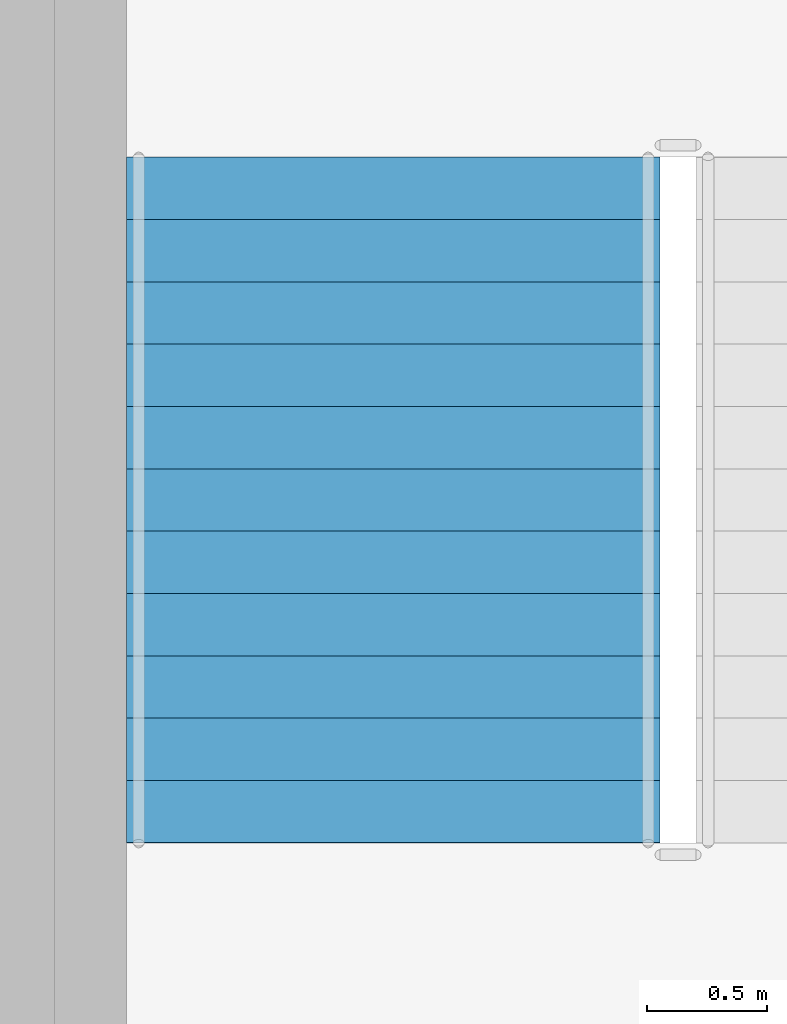
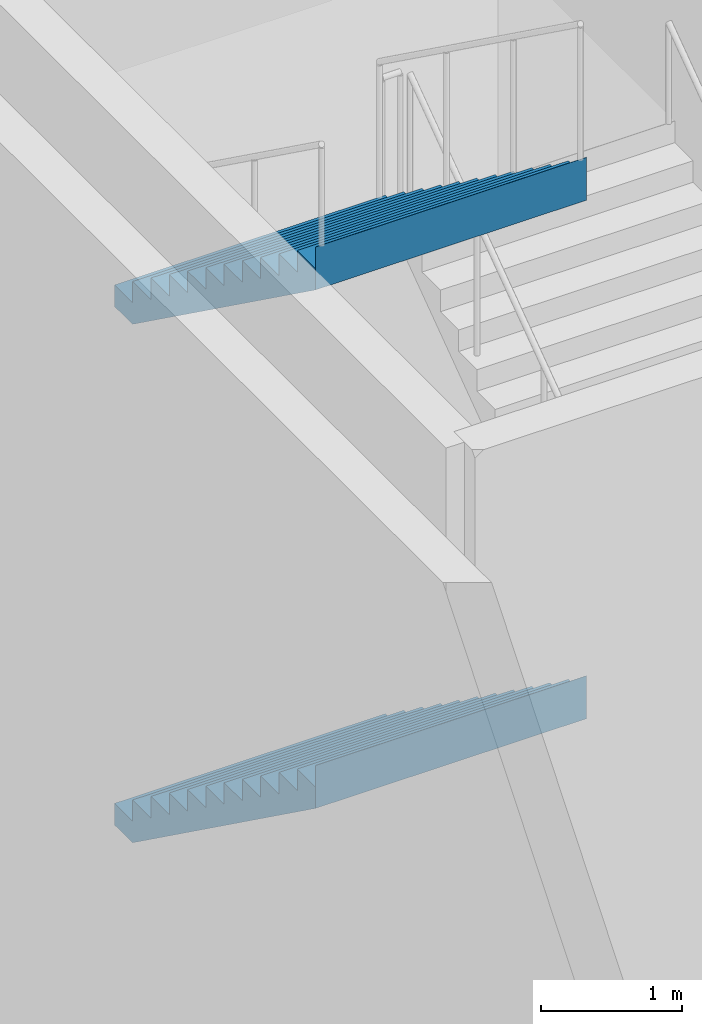
# One storey, part 23 of 35: 2 stair flights, 1 element without a shape of its own.
"""IFC4 building model written with IfcOpenShell, lengths in metres."""

from ifc_helpers import new_model, si_unit, direction, frame, origin, place, context, subcontext, project, spatial, triangles, material, type_object, element, aggregate, save


model = new_model("IFC4")

# Units and contexts
model_context = context("Model", 3, precision=1e-05, world=origin(), true_north=direction((0.0, 1.0)))
body_context = subcontext(model_context, "Body", "Model", "MODEL_VIEW")
ifc_project = project(units=[si_unit("LENGTHUNIT", "METRE"), si_unit("AREAUNIT", "SQUARE_METRE"), si_unit("VOLUMEUNIT", "CUBIC_METRE"), si_unit("PLANEANGLEUNIT", "RADIAN"), si_unit("MASSUNIT", "GRAM", prefix="KILO")], contexts=[model_context])

# Site, building, storey
site_placement = place(None, origin())
site = spatial("IfcSite", under=ifc_project, at=site_placement, CompositionType="ELEMENT")
building_placement = place(site_placement, origin())
building = spatial("IfcBuilding", under=site, at=building_placement, Name="Sahrelin Media Tower", CompositionType="ELEMENT")
storey_placement = place(building_placement, frame((0.0, 0.0, 17.0)))
storey = spatial("IfcBuildingStorey", under=building, at=storey_placement, Name="L02", CompositionType="ELEMENT", Elevation=17.0)

# Stair, stair flights
ifc_material = material(Name="Concrete C40/50", Category="concrete")
stair_type = type_object("IfcStairType", Name="Podium stair 2225", PredefinedType="HALF_TURN_STAIR", material=ifc_material)
stair_placement = place(storey_placement, origin())
stair = element("IfcStair", 1, at=stair_placement, inside=storey, type_object=stair_type, Name="L02 Podium stair PS2", PredefinedType="HALF_TURN_STAIR")
stair_flight_type = type_object("IfcStairFlightType", Name="Stair flight 2225", PredefinedType="STRAIGHT", material=ifc_material)
stair_flight_1_placement = place(storey_placement, frame((-11.83740234375, 33.485107421875, 2.25), z_axis=(0.0, 0.0, 1.0), x_axis=(0.0, -1.0, 0.0)))
stair_flight_1 = element("IfcStairFlight", 2, at=stair_flight_1_placement, type_object=stair_flight_type, Name="PS2 flight 2", NumberOfRisers=12, NumberOfTreads=11, PredefinedType="STRAIGHT", RiserHeight=0.1875, TreadLength=0.26, context=body_context, shape_type="Tessellation", body=[
    triangles([(0.25634765625, 1.112548828125, 0.0), (0.25634765625, 0.794677734375, 0.0), (0.25634765625, 0.476806640625, 0.0), (0.25634765625, 0.158935546875, 0.0), (0.25634765625, -0.158935546875, 0.0), (0.25634765625, -0.476806640625, 0.0), (0.25634765625, -0.794677734375, 0.0), (0.25634765625, -1.112548828125, 0.0), (2.860107421875, 1.112548828125, 1.877685546875), (2.860107421875, 0.794677734375, 1.877685546875), (2.860107421875, 0.476806640625, 1.877685546875), (2.860107421875, 0.158935546875, 1.877685546875), (2.860107421875, -0.158935546875, 1.877685546875), (2.860107421875, -0.476806640625, 1.877685546875), (2.860107421875, -0.794677734375, 1.877685546875), (2.860107421875, -1.112548828125, 1.877685546875), (2.860107421875, 1.112548828125, 2.25), (2.860107421875, 0.794677734375, 2.25), (2.860107421875, 0.476806640625, 2.25), (2.860107421875, 0.158935546875, 2.25), (2.860107421875, -0.158935546875, 2.25), (2.860107421875, -0.476806640625, 2.25), (2.860107421875, -0.794677734375, 2.25), (2.860107421875, -1.112548828125, 2.25), (2.85791015625, 1.112548828125, 2.25), (2.85791015625, 0.794677734375, 2.25), (2.85791015625, 0.476806640625, 2.25), (2.85791015625, 0.158935546875, 2.25), (2.85791015625, -0.158935546875, 2.25), (2.85791015625, -0.476806640625, 2.25), (2.85791015625, -0.794677734375, 2.25), (2.85791015625, -1.112548828125, 2.25), (2.85791015625, 1.112548828125, 2.0625), (2.85791015625, 0.794677734375, 2.0625), (2.85791015625, 0.476806640625, 2.0625), (2.85791015625, 0.158935546875, 2.0625), (2.85791015625, -0.158935546875, 2.0625), (2.85791015625, -0.476806640625, 2.0625), (2.85791015625, -0.794677734375, 2.0625), (2.85791015625, -1.112548828125, 2.0625), (2.60009765625, 1.112548828125, 2.0625), (2.60009765625, 0.794677734375, 2.0625), (2.60009765625, 0.476806640625, 2.0625), (2.60009765625, 0.158935546875, 2.0625), (2.60009765625, -0.158935546875, 2.0625), (2.60009765625, -0.476806640625, 2.0625), (2.60009765625, -0.794677734375, 2.0625), (2.60009765625, -1.112548828125, 2.0625), (2.60009765625, 1.112548828125, 1.875), (2.60009765625, 0.794677734375, 1.875), (2.60009765625, 0.476806640625, 1.875), (2.60009765625, 0.158935546875, 1.875), (2.60009765625, -0.158935546875, 1.875), (2.60009765625, -0.476806640625, 1.875), (2.60009765625, -0.794677734375, 1.875), (2.60009765625, -1.112548828125, 1.875), (2.340087890625, 1.112548828125, 1.875), (2.340087890625, 0.794677734375, 1.875), (2.340087890625, 0.476806640625, 1.875), (2.340087890625, 0.158935546875, 1.875), (2.340087890625, -0.158935546875, 1.875), (2.340087890625, -0.476806640625, 1.875), (2.340087890625, -0.794677734375, 1.875), (2.340087890625, -1.112548828125, 1.875), (2.340087890625, 1.112548828125, 1.6875), (2.340087890625, 0.794677734375, 1.6875), (2.340087890625, 0.476806640625, 1.6875), (2.340087890625, 0.158935546875, 1.6875), (2.340087890625, -0.158935546875, 1.6875), (2.340087890625, -0.476806640625, 1.6875), (2.340087890625, -0.794677734375, 1.6875), (2.340087890625, -1.112548828125, 1.6875), (2.080078125, 1.112548828125, 1.6875), (2.080078125, 0.794677734375, 1.6875), (2.080078125, 0.476806640625, 1.6875), (2.080078125, 0.158935546875, 1.6875), (2.080078125, -0.158935546875, 1.6875), (2.080078125, -0.476806640625, 1.6875), (2.080078125, -0.794677734375, 1.6875), (2.080078125, -1.112548828125, 1.6875), (2.080078125, 1.112548828125, 1.5), (2.080078125, 0.794677734375, 1.5), (2.080078125, 0.476806640625, 1.5), (2.080078125, 0.158935546875, 1.5), (2.080078125, -0.158935546875, 1.5), (2.080078125, -0.476806640625, 1.5), (2.080078125, -0.794677734375, 1.5), (2.080078125, -1.112548828125, 1.5), (1.820068359375, 1.112548828125, 1.5), (1.820068359375, 0.794677734375, 1.5), (1.820068359375, 0.476806640625, 1.5), (1.820068359375, 0.158935546875, 1.5), (1.820068359375, -0.158935546875, 1.5), (1.820068359375, -0.476806640625, 1.5), (1.820068359375, -0.794677734375, 1.5), (1.820068359375, -1.112548828125, 1.5), (1.820068359375, 1.112548828125, 1.3125), (1.820068359375, 0.794677734375, 1.3125), (1.820068359375, 0.476806640625, 1.3125), (1.820068359375, 0.158935546875, 1.3125), (1.820068359375, -0.158935546875, 1.3125), (1.820068359375, -0.476806640625, 1.3125), (1.820068359375, -0.794677734375, 1.3125), (1.820068359375, -1.112548828125, 1.3125), (1.56005859375, 1.112548828125, 1.3125), (1.56005859375, 0.794677734375, 1.3125), (1.56005859375, 0.476806640625, 1.3125), (1.56005859375, 0.158935546875, 1.3125), (1.56005859375, -0.158935546875, 1.3125), (1.56005859375, -0.476806640625, 1.3125), (1.56005859375, -0.794677734375, 1.3125), (1.56005859375, -1.112548828125, 1.3125), (1.56005859375, 1.112548828125, 1.125), (1.56005859375, 0.794677734375, 1.125), (1.56005859375, 0.476806640625, 1.125), (1.56005859375, 0.158935546875, 1.125), (1.56005859375, -0.158935546875, 1.125), (1.56005859375, -0.476806640625, 1.125), (1.56005859375, -0.794677734375, 1.125), (1.56005859375, -1.112548828125, 1.125), (1.300048828125, 1.112548828125, 1.125), (1.300048828125, 0.794677734375, 1.125), (1.300048828125, 0.476806640625, 1.125), (1.300048828125, 0.158935546875, 1.125), (1.300048828125, -0.158935546875, 1.125), (1.300048828125, -0.476806640625, 1.125), (1.300048828125, -0.794677734375, 1.125), (1.300048828125, -1.112548828125, 1.125), (1.300048828125, 1.112548828125, 0.9375), (1.300048828125, 0.794677734375, 0.9375), (1.300048828125, 0.476806640625, 0.9375), (1.300048828125, 0.158935546875, 0.9375), (1.300048828125, -0.158935546875, 0.9375), (1.300048828125, -0.476806640625, 0.9375), (1.300048828125, -0.794677734375, 0.9375), (1.300048828125, -1.112548828125, 0.9375), (1.0400390625, 1.112548828125, 0.9375), (1.0400390625, 0.794677734375, 0.9375), (1.0400390625, 0.476806640625, 0.9375), (1.0400390625, 0.158935546875, 0.9375), (1.0400390625, -0.158935546875, 0.9375), (1.0400390625, -0.476806640625, 0.9375), (1.0400390625, -0.794677734375, 0.9375), (1.0400390625, -1.112548828125, 0.9375), (1.0400390625, 1.112548828125, 0.75), (1.0400390625, 0.794677734375, 0.75), (1.0400390625, 0.476806640625, 0.75), (1.0400390625, 0.158935546875, 0.75), (1.0400390625, -0.158935546875, 0.75), (1.0400390625, -0.476806640625, 0.75), (1.0400390625, -0.794677734375, 0.75), (1.0400390625, -1.112548828125, 0.75), (0.780029296875, 1.112548828125, 0.75), (0.780029296875, 0.794677734375, 0.75), (0.780029296875, 0.476806640625, 0.75), (0.780029296875, 0.158935546875, 0.75), (0.780029296875, -0.158935546875, 0.75), (0.780029296875, -0.476806640625, 0.75), (0.780029296875, -0.794677734375, 0.75), (0.780029296875, -1.112548828125, 0.75), (0.780029296875, 1.112548828125, 0.5625), (0.780029296875, 0.794677734375, 0.5625), (0.780029296875, 0.476806640625, 0.5625), (0.780029296875, 0.158935546875, 0.5625), (0.780029296875, -0.158935546875, 0.5625), (0.780029296875, -0.476806640625, 0.5625), (0.780029296875, -0.794677734375, 0.5625), (0.780029296875, -1.112548828125, 0.5625), (0.52001953125, 1.112548828125, 0.5625), (0.52001953125, 0.794677734375, 0.5625), (0.52001953125, 0.476806640625, 0.5625), (0.52001953125, 0.158935546875, 0.5625), (0.52001953125, -0.158935546875, 0.5625), (0.52001953125, -0.476806640625, 0.5625), (0.52001953125, -0.794677734375, 0.5625), (0.52001953125, -1.112548828125, 0.5625), (0.52001953125, 1.112548828125, 0.375), (0.52001953125, 0.794677734375, 0.375), (0.52001953125, 0.476806640625, 0.375), (0.52001953125, 0.158935546875, 0.375), (0.52001953125, -0.158935546875, 0.375), (0.52001953125, -0.476806640625, 0.375), (0.52001953125, -0.794677734375, 0.375), (0.52001953125, -1.112548828125, 0.375), (0.260009765625, 1.112548828125, 0.375), (0.260009765625, 0.794677734375, 0.375), (0.260009765625, 0.476806640625, 0.375), (0.260009765625, 0.158935546875, 0.375), (0.260009765625, -0.158935546875, 0.375), (0.260009765625, -0.476806640625, 0.375), (0.260009765625, -0.794677734375, 0.375), (0.260009765625, -1.112548828125, 0.375), (0.260009765625, 1.112548828125, 0.1875), (0.260009765625, 0.794677734375, 0.1875), (0.260009765625, 0.476806640625, 0.1875), (0.260009765625, 0.158935546875, 0.1875), (0.260009765625, -0.158935546875, 0.1875), (0.260009765625, -0.476806640625, 0.1875), (0.260009765625, -0.794677734375, 0.1875), (0.260009765625, -1.112548828125, 0.1875), (0.0, 1.112548828125, 0.1875), (0.0, 0.794677734375, 0.1875), (0.0, 0.476806640625, 0.1875), (0.0, 0.158935546875, 0.1875), (0.0, -0.158935546875, 0.1875), (0.0, -0.476806640625, 0.1875), (0.0, -0.794677734375, 0.1875), (0.0, -1.112548828125, 0.1875), (0.0, 1.112548828125, 0.0), (0.0, 0.794677734375, 0.0), (0.0, 0.476806640625, 0.0), (0.0, 0.158935546875, 0.0), (0.0, -0.158935546875, 0.0), (0.0, -0.476806640625, 0.0), (0.0, -0.794677734375, 0.0), (0.0, -1.112548828125, 0.0)], [[1, 9, 10], [1, 10, 2], [2, 10, 11], [2, 11, 3], [3, 11, 12], [3, 12, 4], [4, 12, 13], [4, 13, 5], [5, 13, 14], [5, 14, 6], [6, 14, 15], [6, 15, 7], [7, 15, 16], [7, 16, 8], [9, 17, 18], [9, 18, 10], [10, 18, 19], [10, 19, 11], [11, 19, 20], [11, 20, 12], [12, 20, 21], [12, 21, 13], [13, 21, 22], [13, 22, 14], [14, 22, 23], [14, 23, 15], [15, 23, 24], [15, 24, 16], [17, 25, 26], [17, 26, 18], [18, 26, 27], [18, 27, 19], [19, 27, 28], [19, 28, 20], [20, 28, 29], [20, 29, 21], [21, 29, 30], [21, 30, 22], [22, 30, 31], [22, 31, 23], [23, 31, 32], [23, 32, 24], [25, 33, 34], [25, 34, 26], [26, 34, 35], [26, 35, 27], [27, 35, 36], [27, 36, 28], [28, 36, 37], [28, 37, 29], [29, 37, 38], [29, 38, 30], [30, 38, 39], [30, 39, 31], [31, 39, 40], [31, 40, 32], [33, 41, 42], [33, 42, 34], [34, 42, 43], [34, 43, 35], [35, 43, 44], [35, 44, 36], [36, 44, 45], [36, 45, 37], [37, 45, 46], [37, 46, 38], [38, 46, 47], [38, 47, 39], [39, 47, 48], [39, 48, 40], [41, 49, 50], [41, 50, 42], [42, 50, 51], [42, 51, 43], [43, 51, 52], [43, 52, 44], [44, 52, 53], [44, 53, 45], [45, 53, 54], [45, 54, 46], [46, 54, 55], [46, 55, 47], [47, 55, 56], [47, 56, 48], [49, 57, 58], [49, 58, 50], [50, 58, 59], [50, 59, 51], [51, 59, 60], [51, 60, 52], [52, 60, 61], [52, 61, 53], [53, 61, 62], [53, 62, 54], [54, 62, 63], [54, 63, 55], [55, 63, 64], [55, 64, 56], [57, 65, 66], [57, 66, 58], [58, 66, 67], [58, 67, 59], [59, 67, 68], [59, 68, 60], [60, 68, 69], [60, 69, 61], [61, 69, 70], [61, 70, 62], [62, 70, 71], [62, 71, 63], [63, 71, 72], [63, 72, 64], [65, 73, 74], [65, 74, 66], [66, 74, 75], [66, 75, 67], [67, 75, 76], [67, 76, 68], [68, 76, 77], [68, 77, 69], [69, 77, 78], [69, 78, 70], [70, 78, 79], [70, 79, 71], [71, 79, 80], [71, 80, 72], [73, 81, 82], [73, 82, 74], [74, 82, 83], [74, 83, 75], [75, 83, 84], [75, 84, 76], [76, 84, 85], [76, 85, 77], [77, 85, 86], [77, 86, 78], [78, 86, 87], [78, 87, 79], [79, 87, 88], [79, 88, 80], [81, 89, 90], [81, 90, 82], [82, 90, 91], [82, 91, 83], [83, 91, 92], [83, 92, 84], [84, 92, 93], [84, 93, 85], [85, 93, 94], [85, 94, 86], [86, 94, 95], [86, 95, 87], [87, 95, 96], [87, 96, 88], [89, 97, 98], [89, 98, 90], [90, 98, 99], [90, 99, 91], [91, 99, 100], [91, 100, 92], [92, 100, 101], [92, 101, 93], [93, 101, 102], [93, 102, 94], [94, 102, 103], [94, 103, 95], [95, 103, 104], [95, 104, 96], [97, 105, 106], [97, 106, 98], [98, 106, 107], [98, 107, 99], [99, 107, 108], [99, 108, 100], [100, 108, 109], [100, 109, 101], [101, 109, 110], [101, 110, 102], [102, 110, 111], [102, 111, 103], [103, 111, 112], [103, 112, 104], [105, 113, 114], [105, 114, 106], [106, 114, 115], [106, 115, 107], [107, 115, 116], [107, 116, 108], [108, 116, 117], [108, 117, 109], [109, 117, 118], [109, 118, 110], [110, 118, 119], [110, 119, 111], [111, 119, 120], [111, 120, 112], [113, 121, 122], [113, 122, 114], [114, 122, 123], [114, 123, 115], [115, 123, 124], [115, 124, 116], [116, 124, 125], [116, 125, 117], [117, 125, 126], [117, 126, 118], [118, 126, 127], [118, 127, 119], [119, 127, 128], [119, 128, 120], [121, 129, 130], [121, 130, 122], [122, 130, 131], [122, 131, 123], [123, 131, 132], [123, 132, 124], [124, 132, 133], [124, 133, 125], [125, 133, 134], [125, 134, 126], [126, 134, 135], [126, 135, 127], [127, 135, 136], [127, 136, 128], [129, 137, 138], [129, 138, 130], [130, 138, 139], [130, 139, 131], [131, 139, 140], [131, 140, 132], [132, 140, 141], [132, 141, 133], [133, 141, 142], [133, 142, 134], [134, 142, 143], [134, 143, 135], [135, 143, 144], [135, 144, 136], [137, 145, 146], [137, 146, 138], [138, 146, 147], [138, 147, 139], [139, 147, 148], [139, 148, 140], [140, 148, 149], [140, 149, 141], [141, 149, 150], [141, 150, 142], [142, 150, 151], [142, 151, 143], [143, 151, 152], [143, 152, 144], [145, 153, 154], [145, 154, 146], [146, 154, 155], [146, 155, 147], [147, 155, 156], [147, 156, 148], [148, 156, 157], [148, 157, 149], [149, 157, 158], [149, 158, 150], [150, 158, 159], [150, 159, 151], [151, 159, 160], [151, 160, 152], [153, 161, 162], [153, 162, 154], [154, 162, 163], [154, 163, 155], [155, 163, 164], [155, 164, 156], [156, 164, 165], [156, 165, 157], [157, 165, 166], [157, 166, 158], [158, 166, 167], [158, 167, 159], [159, 167, 168], [159, 168, 160], [161, 169, 170], [161, 170, 162], [162, 170, 171], [162, 171, 163], [163, 171, 172], [163, 172, 164], [164, 172, 173], [164, 173, 165], [165, 173, 174], [165, 174, 166], [166, 174, 175], [166, 175, 167], [167, 175, 176], [167, 176, 168], [169, 177, 178], [169, 178, 170], [170, 178, 179], [170, 179, 171], [171, 179, 180], [171, 180, 172], [172, 180, 181], [172, 181, 173], [173, 181, 182], [173, 182, 174], [174, 182, 183], [174, 183, 175], [175, 183, 184], [175, 184, 176], [177, 185, 186], [177, 186, 178], [178, 186, 187], [178, 187, 179], [179, 187, 188], [179, 188, 180], [180, 188, 189], [180, 189, 181], [181, 189, 190], [181, 190, 182], [182, 190, 191], [182, 191, 183], [183, 191, 192], [183, 192, 184], [185, 193, 194], [185, 194, 186], [186, 194, 195], [186, 195, 187], [187, 195, 196], [187, 196, 188], [188, 196, 197], [188, 197, 189], [189, 197, 198], [189, 198, 190], [190, 198, 199], [190, 199, 191], [191, 199, 200], [191, 200, 192], [193, 201, 202], [193, 202, 194], [194, 202, 203], [194, 203, 195], [195, 203, 204], [195, 204, 196], [196, 204, 205], [196, 205, 197], [197, 205, 206], [197, 206, 198], [198, 206, 207], [198, 207, 199], [199, 207, 208], [199, 208, 200], [201, 209, 210], [201, 210, 202], [202, 210, 211], [202, 211, 203], [203, 211, 212], [203, 212, 204], [204, 212, 213], [204, 213, 205], [205, 213, 214], [205, 214, 206], [206, 214, 215], [206, 215, 207], [207, 215, 216], [207, 216, 208], [209, 1, 2], [209, 2, 210], [210, 2, 3], [210, 3, 211], [211, 3, 4], [211, 4, 212], [212, 4, 5], [212, 5, 213], [213, 5, 6], [213, 6, 214], [214, 6, 7], [214, 7, 215], [215, 7, 8], [215, 8, 216], [8, 208, 216], [1, 209, 201], [200, 184, 192], [193, 185, 177], [184, 168, 176], [177, 169, 161], [168, 152, 160], [161, 153, 145], [152, 136, 144], [145, 137, 129], [136, 120, 128], [129, 121, 113], [120, 104, 112], [113, 105, 97], [104, 88, 96], [97, 89, 81], [88, 72, 80], [81, 73, 65], [72, 56, 64], [65, 57, 49], [56, 40, 48], [49, 41, 33], [40, 24, 32], [33, 25, 17], [8, 200, 208], [1, 201, 193], [16, 56, 72], [9, 65, 49], [40, 16, 24], [33, 17, 9], [184, 200, 8], [177, 1, 193], [56, 16, 40], [49, 33, 9], [168, 184, 8], [161, 1, 177], [72, 88, 16], [65, 9, 81], [152, 168, 8], [145, 1, 161], [104, 16, 88], [97, 81, 9], [136, 152, 8], [129, 1, 145], [120, 16, 104], [113, 97, 9], [120, 136, 8], [113, 1, 129], [8, 16, 120], [1, 113, 9]], closed=True),
])
stair_flight_2_placement = place(storey_placement, frame((-11.83740234375, 33.485107421875, 6.75), z_axis=(0.0, 0.0, 1.0), x_axis=(0.0, -1.0, 0.0)))
stair_flight_2 = element("IfcStairFlight", 3, at=stair_flight_2_placement, type_object=stair_flight_type, Name="PS2 flight 4", NumberOfRisers=12, NumberOfTreads=11, PredefinedType="STRAIGHT", RiserHeight=0.1875, TreadLength=0.26, context=body_context, shape_type="Tessellation", body=[
    triangles([(0.25634765625, 1.112548828125, 0.0), (0.25634765625, 0.794677734375, 0.0), (0.25634765625, 0.476806640625, 0.0), (0.25634765625, 0.158935546875, 0.0), (0.25634765625, -0.158935546875, 0.0), (0.25634765625, -0.476806640625, 0.0), (0.25634765625, -0.794677734375, 0.0), (0.25634765625, -1.112548828125, 0.0), (2.860107421875, 1.112548828125, 1.877685546875), (2.860107421875, 0.794677734375, 1.877685546875), (2.860107421875, 0.476806640625, 1.877685546875), (2.860107421875, 0.158935546875, 1.877685546875), (2.860107421875, -0.158935546875, 1.877685546875), (2.860107421875, -0.476806640625, 1.877685546875), (2.860107421875, -0.794677734375, 1.877685546875), (2.860107421875, -1.112548828125, 1.877685546875), (2.860107421875, 1.112548828125, 2.25), (2.860107421875, 0.794677734375, 2.25), (2.860107421875, 0.476806640625, 2.25), (2.860107421875, 0.158935546875, 2.25), (2.860107421875, -0.158935546875, 2.25), (2.860107421875, -0.476806640625, 2.25), (2.860107421875, -0.794677734375, 2.25), (2.860107421875, -1.112548828125, 2.25), (2.85791015625, 1.112548828125, 2.25), (2.85791015625, 0.794677734375, 2.25), (2.85791015625, 0.476806640625, 2.25), (2.85791015625, 0.158935546875, 2.25), (2.85791015625, -0.158935546875, 2.25), (2.85791015625, -0.476806640625, 2.25), (2.85791015625, -0.794677734375, 2.25), (2.85791015625, -1.112548828125, 2.25), (2.85791015625, 1.112548828125, 2.0625), (2.85791015625, 0.794677734375, 2.0625), (2.85791015625, 0.476806640625, 2.0625), (2.85791015625, 0.158935546875, 2.0625), (2.85791015625, -0.158935546875, 2.0625), (2.85791015625, -0.476806640625, 2.0625), (2.85791015625, -0.794677734375, 2.0625), (2.85791015625, -1.112548828125, 2.0625), (2.60009765625, 1.112548828125, 2.0625), (2.60009765625, 0.794677734375, 2.0625), (2.60009765625, 0.476806640625, 2.0625), (2.60009765625, 0.158935546875, 2.0625), (2.60009765625, -0.158935546875, 2.0625), (2.60009765625, -0.476806640625, 2.0625), (2.60009765625, -0.794677734375, 2.0625), (2.60009765625, -1.112548828125, 2.0625), (2.60009765625, 1.112548828125, 1.875), (2.60009765625, 0.794677734375, 1.875), (2.60009765625, 0.476806640625, 1.875), (2.60009765625, 0.158935546875, 1.875), (2.60009765625, -0.158935546875, 1.875), (2.60009765625, -0.476806640625, 1.875), (2.60009765625, -0.794677734375, 1.875), (2.60009765625, -1.112548828125, 1.875), (2.340087890625, 1.112548828125, 1.875), (2.340087890625, 0.794677734375, 1.875), (2.340087890625, 0.476806640625, 1.875), (2.340087890625, 0.158935546875, 1.875), (2.340087890625, -0.158935546875, 1.875), (2.340087890625, -0.476806640625, 1.875), (2.340087890625, -0.794677734375, 1.875), (2.340087890625, -1.112548828125, 1.875), (2.340087890625, 1.112548828125, 1.6875), (2.340087890625, 0.794677734375, 1.6875), (2.340087890625, 0.476806640625, 1.6875), (2.340087890625, 0.158935546875, 1.6875), (2.340087890625, -0.158935546875, 1.6875), (2.340087890625, -0.476806640625, 1.6875), (2.340087890625, -0.794677734375, 1.6875), (2.340087890625, -1.112548828125, 1.6875), (2.080078125, 1.112548828125, 1.6875), (2.080078125, 0.794677734375, 1.6875), (2.080078125, 0.476806640625, 1.6875), (2.080078125, 0.158935546875, 1.6875), (2.080078125, -0.158935546875, 1.6875), (2.080078125, -0.476806640625, 1.6875), (2.080078125, -0.794677734375, 1.6875), (2.080078125, -1.112548828125, 1.6875), (2.080078125, 1.112548828125, 1.5), (2.080078125, 0.794677734375, 1.5), (2.080078125, 0.476806640625, 1.5), (2.080078125, 0.158935546875, 1.5), (2.080078125, -0.158935546875, 1.5), (2.080078125, -0.476806640625, 1.5), (2.080078125, -0.794677734375, 1.5), (2.080078125, -1.112548828125, 1.5), (1.820068359375, 1.112548828125, 1.5), (1.820068359375, 0.794677734375, 1.5), (1.820068359375, 0.476806640625, 1.5), (1.820068359375, 0.158935546875, 1.5), (1.820068359375, -0.158935546875, 1.5), (1.820068359375, -0.476806640625, 1.5), (1.820068359375, -0.794677734375, 1.5), (1.820068359375, -1.112548828125, 1.5), (1.820068359375, 1.112548828125, 1.3125), (1.820068359375, 0.794677734375, 1.3125), (1.820068359375, 0.476806640625, 1.3125), (1.820068359375, 0.158935546875, 1.3125), (1.820068359375, -0.158935546875, 1.3125), (1.820068359375, -0.476806640625, 1.3125), (1.820068359375, -0.794677734375, 1.3125), (1.820068359375, -1.112548828125, 1.3125), (1.56005859375, 1.112548828125, 1.3125), (1.56005859375, 0.794677734375, 1.3125), (1.56005859375, 0.476806640625, 1.3125), (1.56005859375, 0.158935546875, 1.3125), (1.56005859375, -0.158935546875, 1.3125), (1.56005859375, -0.476806640625, 1.3125), (1.56005859375, -0.794677734375, 1.3125), (1.56005859375, -1.112548828125, 1.3125), (1.56005859375, 1.112548828125, 1.125), (1.56005859375, 0.794677734375, 1.125), (1.56005859375, 0.476806640625, 1.125), (1.56005859375, 0.158935546875, 1.125), (1.56005859375, -0.158935546875, 1.125), (1.56005859375, -0.476806640625, 1.125), (1.56005859375, -0.794677734375, 1.125), (1.56005859375, -1.112548828125, 1.125), (1.300048828125, 1.112548828125, 1.125), (1.300048828125, 0.794677734375, 1.125), (1.300048828125, 0.476806640625, 1.125), (1.300048828125, 0.158935546875, 1.125), (1.300048828125, -0.158935546875, 1.125), (1.300048828125, -0.476806640625, 1.125), (1.300048828125, -0.794677734375, 1.125), (1.300048828125, -1.112548828125, 1.125), (1.300048828125, 1.112548828125, 0.9375), (1.300048828125, 0.794677734375, 0.9375), (1.300048828125, 0.476806640625, 0.9375), (1.300048828125, 0.158935546875, 0.9375), (1.300048828125, -0.158935546875, 0.9375), (1.300048828125, -0.476806640625, 0.9375), (1.300048828125, -0.794677734375, 0.9375), (1.300048828125, -1.112548828125, 0.9375), (1.0400390625, 1.112548828125, 0.9375), (1.0400390625, 0.794677734375, 0.9375), (1.0400390625, 0.476806640625, 0.9375), (1.0400390625, 0.158935546875, 0.9375), (1.0400390625, -0.158935546875, 0.9375), (1.0400390625, -0.476806640625, 0.9375), (1.0400390625, -0.794677734375, 0.9375), (1.0400390625, -1.112548828125, 0.9375), (1.0400390625, 1.112548828125, 0.75), (1.0400390625, 0.794677734375, 0.75), (1.0400390625, 0.476806640625, 0.75), (1.0400390625, 0.158935546875, 0.75), (1.0400390625, -0.158935546875, 0.75), (1.0400390625, -0.476806640625, 0.75), (1.0400390625, -0.794677734375, 0.75), (1.0400390625, -1.112548828125, 0.75), (0.780029296875, 1.112548828125, 0.75), (0.780029296875, 0.794677734375, 0.75), (0.780029296875, 0.476806640625, 0.75), (0.780029296875, 0.158935546875, 0.75), (0.780029296875, -0.158935546875, 0.75), (0.780029296875, -0.476806640625, 0.75), (0.780029296875, -0.794677734375, 0.75), (0.780029296875, -1.112548828125, 0.75), (0.780029296875, 1.112548828125, 0.5625), (0.780029296875, 0.794677734375, 0.5625), (0.780029296875, 0.476806640625, 0.5625), (0.780029296875, 0.158935546875, 0.5625), (0.780029296875, -0.158935546875, 0.5625), (0.780029296875, -0.476806640625, 0.5625), (0.780029296875, -0.794677734375, 0.5625), (0.780029296875, -1.112548828125, 0.5625), (0.52001953125, 1.112548828125, 0.5625), (0.52001953125, 0.794677734375, 0.5625), (0.52001953125, 0.476806640625, 0.5625), (0.52001953125, 0.158935546875, 0.5625), (0.52001953125, -0.158935546875, 0.5625), (0.52001953125, -0.476806640625, 0.5625), (0.52001953125, -0.794677734375, 0.5625), (0.52001953125, -1.112548828125, 0.5625), (0.52001953125, 1.112548828125, 0.375), (0.52001953125, 0.794677734375, 0.375), (0.52001953125, 0.476806640625, 0.375), (0.52001953125, 0.158935546875, 0.375), (0.52001953125, -0.158935546875, 0.375), (0.52001953125, -0.476806640625, 0.375), (0.52001953125, -0.794677734375, 0.375), (0.52001953125, -1.112548828125, 0.375), (0.260009765625, 1.112548828125, 0.375), (0.260009765625, 0.794677734375, 0.375), (0.260009765625, 0.476806640625, 0.375), (0.260009765625, 0.158935546875, 0.375), (0.260009765625, -0.158935546875, 0.375), (0.260009765625, -0.476806640625, 0.375), (0.260009765625, -0.794677734375, 0.375), (0.260009765625, -1.112548828125, 0.375), (0.260009765625, 1.112548828125, 0.1875), (0.260009765625, 0.794677734375, 0.1875), (0.260009765625, 0.476806640625, 0.1875), (0.260009765625, 0.158935546875, 0.1875), (0.260009765625, -0.158935546875, 0.1875), (0.260009765625, -0.476806640625, 0.1875), (0.260009765625, -0.794677734375, 0.1875), (0.260009765625, -1.112548828125, 0.1875), (0.0, 1.112548828125, 0.1875), (0.0, 0.794677734375, 0.1875), (0.0, 0.476806640625, 0.1875), (0.0, 0.158935546875, 0.1875), (0.0, -0.158935546875, 0.1875), (0.0, -0.476806640625, 0.1875), (0.0, -0.794677734375, 0.1875), (0.0, -1.112548828125, 0.1875), (0.0, 1.112548828125, 0.0), (0.0, 0.794677734375, 0.0), (0.0, 0.476806640625, 0.0), (0.0, 0.158935546875, 0.0), (0.0, -0.158935546875, 0.0), (0.0, -0.476806640625, 0.0), (0.0, -0.794677734375, 0.0), (0.0, -1.112548828125, 0.0)], [[1, 9, 10], [1, 10, 2], [2, 10, 11], [2, 11, 3], [3, 11, 12], [3, 12, 4], [4, 12, 13], [4, 13, 5], [5, 13, 14], [5, 14, 6], [6, 14, 15], [6, 15, 7], [7, 15, 16], [7, 16, 8], [9, 17, 18], [9, 18, 10], [10, 18, 19], [10, 19, 11], [11, 19, 20], [11, 20, 12], [12, 20, 21], [12, 21, 13], [13, 21, 22], [13, 22, 14], [14, 22, 23], [14, 23, 15], [15, 23, 24], [15, 24, 16], [17, 25, 26], [17, 26, 18], [18, 26, 27], [18, 27, 19], [19, 27, 28], [19, 28, 20], [20, 28, 29], [20, 29, 21], [21, 29, 30], [21, 30, 22], [22, 30, 31], [22, 31, 23], [23, 31, 32], [23, 32, 24], [25, 33, 34], [25, 34, 26], [26, 34, 35], [26, 35, 27], [27, 35, 36], [27, 36, 28], [28, 36, 37], [28, 37, 29], [29, 37, 38], [29, 38, 30], [30, 38, 39], [30, 39, 31], [31, 39, 40], [31, 40, 32], [33, 41, 42], [33, 42, 34], [34, 42, 43], [34, 43, 35], [35, 43, 44], [35, 44, 36], [36, 44, 45], [36, 45, 37], [37, 45, 46], [37, 46, 38], [38, 46, 47], [38, 47, 39], [39, 47, 48], [39, 48, 40], [41, 49, 50], [41, 50, 42], [42, 50, 51], [42, 51, 43], [43, 51, 52], [43, 52, 44], [44, 52, 53], [44, 53, 45], [45, 53, 54], [45, 54, 46], [46, 54, 55], [46, 55, 47], [47, 55, 56], [47, 56, 48], [49, 57, 58], [49, 58, 50], [50, 58, 59], [50, 59, 51], [51, 59, 60], [51, 60, 52], [52, 60, 61], [52, 61, 53], [53, 61, 62], [53, 62, 54], [54, 62, 63], [54, 63, 55], [55, 63, 64], [55, 64, 56], [57, 65, 66], [57, 66, 58], [58, 66, 67], [58, 67, 59], [59, 67, 68], [59, 68, 60], [60, 68, 69], [60, 69, 61], [61, 69, 70], [61, 70, 62], [62, 70, 71], [62, 71, 63], [63, 71, 72], [63, 72, 64], [65, 73, 74], [65, 74, 66], [66, 74, 75], [66, 75, 67], [67, 75, 76], [67, 76, 68], [68, 76, 77], [68, 77, 69], [69, 77, 78], [69, 78, 70], [70, 78, 79], [70, 79, 71], [71, 79, 80], [71, 80, 72], [73, 81, 82], [73, 82, 74], [74, 82, 83], [74, 83, 75], [75, 83, 84], [75, 84, 76], [76, 84, 85], [76, 85, 77], [77, 85, 86], [77, 86, 78], [78, 86, 87], [78, 87, 79], [79, 87, 88], [79, 88, 80], [81, 89, 90], [81, 90, 82], [82, 90, 91], [82, 91, 83], [83, 91, 92], [83, 92, 84], [84, 92, 93], [84, 93, 85], [85, 93, 94], [85, 94, 86], [86, 94, 95], [86, 95, 87], [87, 95, 96], [87, 96, 88], [89, 97, 98], [89, 98, 90], [90, 98, 99], [90, 99, 91], [91, 99, 100], [91, 100, 92], [92, 100, 101], [92, 101, 93], [93, 101, 102], [93, 102, 94], [94, 102, 103], [94, 103, 95], [95, 103, 104], [95, 104, 96], [97, 105, 106], [97, 106, 98], [98, 106, 107], [98, 107, 99], [99, 107, 108], [99, 108, 100], [100, 108, 109], [100, 109, 101], [101, 109, 110], [101, 110, 102], [102, 110, 111], [102, 111, 103], [103, 111, 112], [103, 112, 104], [105, 113, 114], [105, 114, 106], [106, 114, 115], [106, 115, 107], [107, 115, 116], [107, 116, 108], [108, 116, 117], [108, 117, 109], [109, 117, 118], [109, 118, 110], [110, 118, 119], [110, 119, 111], [111, 119, 120], [111, 120, 112], [113, 121, 122], [113, 122, 114], [114, 122, 123], [114, 123, 115], [115, 123, 124], [115, 124, 116], [116, 124, 125], [116, 125, 117], [117, 125, 126], [117, 126, 118], [118, 126, 127], [118, 127, 119], [119, 127, 128], [119, 128, 120], [121, 129, 130], [121, 130, 122], [122, 130, 131], [122, 131, 123], [123, 131, 132], [123, 132, 124], [124, 132, 133], [124, 133, 125], [125, 133, 134], [125, 134, 126], [126, 134, 135], [126, 135, 127], [127, 135, 136], [127, 136, 128], [129, 137, 138], [129, 138, 130], [130, 138, 139], [130, 139, 131], [131, 139, 140], [131, 140, 132], [132, 140, 141], [132, 141, 133], [133, 141, 142], [133, 142, 134], [134, 142, 143], [134, 143, 135], [135, 143, 144], [135, 144, 136], [137, 145, 146], [137, 146, 138], [138, 146, 147], [138, 147, 139], [139, 147, 148], [139, 148, 140], [140, 148, 149], [140, 149, 141], [141, 149, 150], [141, 150, 142], [142, 150, 151], [142, 151, 143], [143, 151, 152], [143, 152, 144], [145, 153, 154], [145, 154, 146], [146, 154, 155], [146, 155, 147], [147, 155, 156], [147, 156, 148], [148, 156, 157], [148, 157, 149], [149, 157, 158], [149, 158, 150], [150, 158, 159], [150, 159, 151], [151, 159, 160], [151, 160, 152], [153, 161, 162], [153, 162, 154], [154, 162, 163], [154, 163, 155], [155, 163, 164], [155, 164, 156], [156, 164, 165], [156, 165, 157], [157, 165, 166], [157, 166, 158], [158, 166, 167], [158, 167, 159], [159, 167, 168], [159, 168, 160], [161, 169, 170], [161, 170, 162], [162, 170, 171], [162, 171, 163], [163, 171, 172], [163, 172, 164], [164, 172, 173], [164, 173, 165], [165, 173, 174], [165, 174, 166], [166, 174, 175], [166, 175, 167], [167, 175, 176], [167, 176, 168], [169, 177, 178], [169, 178, 170], [170, 178, 179], [170, 179, 171], [171, 179, 180], [171, 180, 172], [172, 180, 181], [172, 181, 173], [173, 181, 182], [173, 182, 174], [174, 182, 183], [174, 183, 175], [175, 183, 184], [175, 184, 176], [177, 185, 186], [177, 186, 178], [178, 186, 187], [178, 187, 179], [179, 187, 188], [179, 188, 180], [180, 188, 189], [180, 189, 181], [181, 189, 190], [181, 190, 182], [182, 190, 191], [182, 191, 183], [183, 191, 192], [183, 192, 184], [185, 193, 194], [185, 194, 186], [186, 194, 195], [186, 195, 187], [187, 195, 196], [187, 196, 188], [188, 196, 197], [188, 197, 189], [189, 197, 198], [189, 198, 190], [190, 198, 199], [190, 199, 191], [191, 199, 200], [191, 200, 192], [193, 201, 202], [193, 202, 194], [194, 202, 203], [194, 203, 195], [195, 203, 204], [195, 204, 196], [196, 204, 205], [196, 205, 197], [197, 205, 206], [197, 206, 198], [198, 206, 207], [198, 207, 199], [199, 207, 208], [199, 208, 200], [201, 209, 210], [201, 210, 202], [202, 210, 211], [202, 211, 203], [203, 211, 212], [203, 212, 204], [204, 212, 213], [204, 213, 205], [205, 213, 214], [205, 214, 206], [206, 214, 215], [206, 215, 207], [207, 215, 216], [207, 216, 208], [209, 1, 2], [209, 2, 210], [210, 2, 3], [210, 3, 211], [211, 3, 4], [211, 4, 212], [212, 4, 5], [212, 5, 213], [213, 5, 6], [213, 6, 214], [214, 6, 7], [214, 7, 215], [215, 7, 8], [215, 8, 216], [8, 208, 216], [1, 209, 201], [200, 184, 192], [193, 185, 177], [184, 168, 176], [177, 169, 161], [168, 152, 160], [161, 153, 145], [152, 136, 144], [145, 137, 129], [136, 120, 128], [129, 121, 113], [120, 104, 112], [113, 105, 97], [104, 88, 96], [97, 89, 81], [88, 72, 80], [81, 73, 65], [72, 56, 64], [65, 57, 49], [56, 40, 48], [49, 41, 33], [40, 24, 32], [33, 25, 17], [8, 200, 208], [1, 201, 193], [16, 56, 72], [9, 65, 49], [40, 16, 24], [33, 17, 9], [184, 200, 8], [177, 1, 193], [56, 16, 40], [49, 33, 9], [168, 184, 8], [161, 1, 177], [72, 88, 16], [65, 9, 81], [152, 168, 8], [145, 1, 161], [104, 16, 88], [97, 81, 9], [136, 152, 8], [129, 1, 145], [120, 16, 104], [113, 97, 9], [120, 136, 8], [113, 1, 129], [8, 16, 120], [1, 113, 9]], closed=True),
])
aggregate(stair, [stair_flight_1, stair_flight_2])

save(model, "model.ifc")
